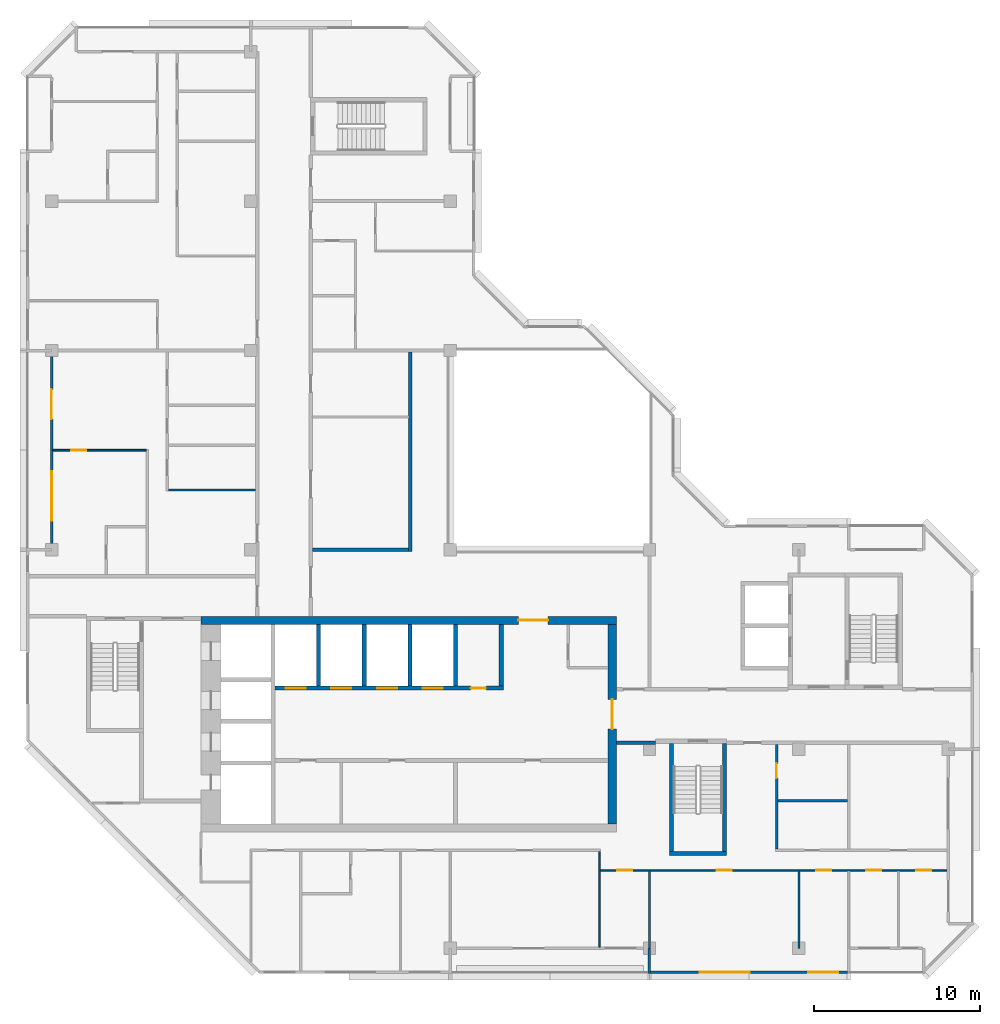
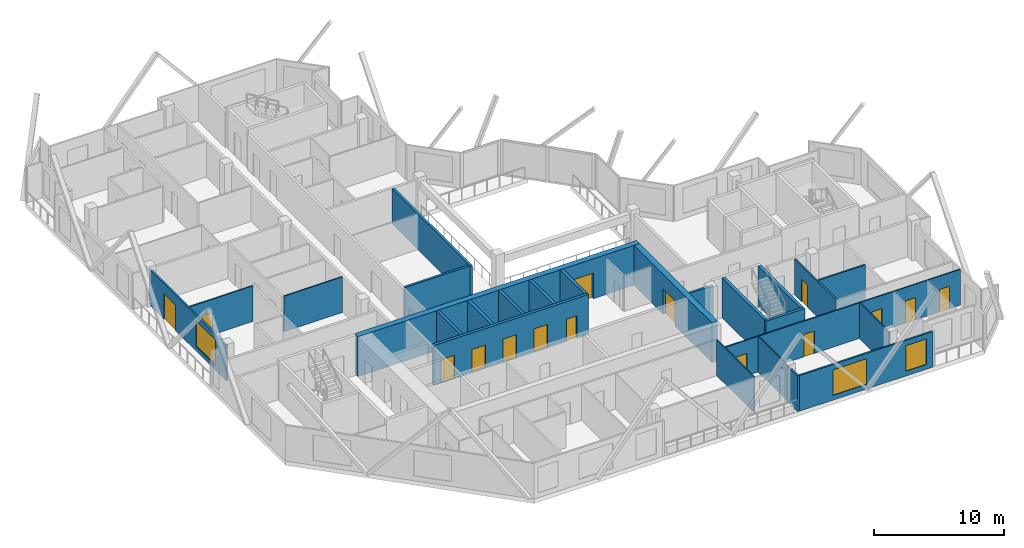
# One storey, part 5 of 12: 25 walls, 15 doors, 3 windows, 18 openings.
"""IFC4 building model written with IfcOpenShell, lengths in metres."""

from ifc_helpers import new_model, si_unit, direction, frame, frame_2d, origin, place, context, subcontext, project, spatial, rectangle, extrude, material, layer, layer_set, type_object, element, fill, save


model = new_model("IFC4")

# Units and contexts
model_context = context("Model", 3, precision=1e-05, world=origin(), true_north=direction((0.0, 1.0)))
body_context = subcontext(model_context, "Body", "Model", "MODEL_VIEW")
ifc_project = project(units=[si_unit("LENGTHUNIT", "METRE"), si_unit("AREAUNIT", "SQUARE_METRE"), si_unit("VOLUMEUNIT", "CUBIC_METRE"), si_unit("PLANEANGLEUNIT", "RADIAN"), si_unit("MASSUNIT", "GRAM", prefix="KILO")], contexts=[model_context])

# Site, building, storey
site_placement = place(None, origin())
site = spatial("IfcSite", under=ifc_project, at=site_placement, CompositionType="ELEMENT")
building_placement = place(site_placement, origin())
building = spatial("IfcBuilding", under=site, at=building_placement, Name="Chenar Terraces", CompositionType="ELEMENT")
storey_placement = place(building_placement, frame((0.0, 0.0, 368.89990234375)))
storey = spatial("IfcBuildingStorey", under=building, at=storey_placement, Name="L86", CompositionType="ELEMENT", Elevation=368.89990234375)

# Wall, openings, doors
ifc_material_1 = material(Name="Concrete C50/60", Category="concrete")
ifc_layer_1 = layer(ifc_material_1, 0.25)
ifc_layer_set_1 = layer_set([ifc_layer_1], Name="Concrete C50/60")
wall_type_1 = type_object("IfcWallType", Name="Core wall 250 Concrete C50/60", PredefinedType="SHEAR", material=ifc_layer_set_1)
wall_1_placement = place(storey_placement, frame((13.449951171875, 15.675048828125, 0.0), z_axis=(0.0, 0.0, 1.0), x_axis=(1.0, 0.0, 0.0)))
wall_1 = element("IfcWall", 1, at=wall_1_placement, inside=storey, type_object=wall_type_1, Name="Core wall NF L86", PredefinedType="SHEAR", context=body_context, shape_type="SweptSolid", body=[
    extrude(rectangle(XDim=13.75, YDim=0.25, at=frame_2d((6.875, 0.0))), origin(), (0.0, 0.0, 1.0), 3.75),
])
opening_1_placement = place(wall_1_placement, frame((0.64990234375, 0.0, 0.0)))
opening_1 = element("IfcOpeningElement", 2, at=opening_1_placement, cuts=wall_1, Name="Opening DL86-LD1", PredefinedType="OPENING", context=body_context, shape_type="SweptSolid", body=[
    extrude(rectangle(XDim=1.199951171875, YDim=2.199951171875, at=frame_2d((0.60009765625, 1.10009765625))), frame((0.0, 0.135009765625, 0.0), z_axis=(0.0, -1.0, 0.0), x_axis=(1.0, 0.0, 0.0)), (0.0, 0.0, 1.0), 0.27001953125),
])
opening_2_placement = place(wall_1_placement, frame((3.39990234375, 0.0, 0.0)))
opening_2 = element("IfcOpeningElement", 3, at=opening_2_placement, cuts=wall_1, Name="Opening DL86-LD2", PredefinedType="OPENING", context=body_context, shape_type="SweptSolid", body=[
    extrude(rectangle(XDim=1.199951171875, YDim=2.199951171875, at=frame_2d((0.60009765625, 1.10009765625))), frame((0.0, 0.135009765625, 0.0), z_axis=(0.0, -1.0, 0.0), x_axis=(1.0, 0.0, 0.0)), (0.0, 0.0, 1.0), 0.27001953125),
])
opening_3_placement = place(wall_1_placement, frame((6.14990234375, 0.0, 0.0)))
opening_3 = element("IfcOpeningElement", 4, at=opening_3_placement, cuts=wall_1, Name="Opening DL86-LD3", PredefinedType="OPENING", context=body_context, shape_type="SweptSolid", body=[
    extrude(rectangle(XDim=1.199951171875, YDim=2.199951171875, at=frame_2d((0.60009765625, 1.10009765625))), frame((0.0, 0.135009765625, 0.0), z_axis=(0.0, -1.0, 0.0), x_axis=(1.0, 0.0, 0.0)), (0.0, 0.0, 1.0), 0.27001953125),
])
opening_4_placement = place(wall_1_placement, frame((8.89990234375, 0.0, 0.0)))
opening_4 = element("IfcOpeningElement", 5, at=opening_4_placement, cuts=wall_1, Name="Opening DL86-LD4", PredefinedType="OPENING", context=body_context, shape_type="SweptSolid", body=[
    extrude(rectangle(XDim=1.199951171875, YDim=2.199951171875, at=frame_2d((0.60009765625, 1.10009765625))), frame((0.0, 0.135009765625, 0.0), z_axis=(0.0, -1.0, 0.0), x_axis=(1.0, 0.0, 0.0)), (0.0, 0.0, 1.0), 0.27001953125),
])
opening_5_placement = place(wall_1_placement, frame((11.800048828125, 0.0, 0.0)))
opening_5 = element("IfcOpeningElement", 6, at=opening_5_placement, cuts=wall_1, Name="Opening DL86-C15", PredefinedType="OPENING", context=body_context, shape_type="SweptSolid", body=[
    extrude(rectangle(XDim=0.89990234375, YDim=2.10009765625, at=frame_2d((0.449951171875, 1.050048828125))), frame((0.0, 0.135009765625, 0.0), z_axis=(0.0, -1.0, 0.0), x_axis=(1.0, 0.0, 0.0)), (0.0, 0.0, 1.0), 0.27001953125),
])
ifc_material_2 = material(Name="Stainless steel", Category="steel")
door_type_1 = type_object("IfcDoorType", Name="Lift landing door 1200 x 2200 sliding", OperationType="DOUBLE_DOOR_SLIDING", PredefinedType="DOOR", material=ifc_material_2)
door_1_placement = place(opening_1_placement, origin())
door_1 = element("IfcDoor", 7, at=door_1_placement, inside=storey, type_object=door_type_1, Name="Landing door H1", OperationType="DOUBLE_DOOR_SLIDING", OverallHeight=2.199951171875, OverallWidth=1.199951171875, PredefinedType="DOOR", context=body_context, shape_type="SweptSolid", body=[
    extrude(rectangle(XDim=1.199951171875, YDim=2.199951171875, at=frame_2d((0.60009765625, 1.10009765625))), frame((0.0, 0.02490234375, 0.0), z_axis=(0.0, -1.0, 0.0), x_axis=(1.0, 0.0, 0.0)), (0.0, 0.0, 1.0), 0.050048828125),
])
fill(opening_1, door_1)
door_2_placement = place(opening_2_placement, origin())
door_2 = element("IfcDoor", 8, at=door_2_placement, inside=storey, type_object=door_type_1, Name="Landing door H2", OperationType="DOUBLE_DOOR_SLIDING", OverallHeight=2.199951171875, OverallWidth=1.199951171875, PredefinedType="DOOR", context=body_context, shape_type="SweptSolid", body=[
    extrude(rectangle(XDim=1.199951171875, YDim=2.199951171875, at=frame_2d((0.60009765625, 1.10009765625))), frame((0.0, 0.02490234375, 0.0), z_axis=(0.0, -1.0, 0.0), x_axis=(1.0, 0.0, 0.0)), (0.0, 0.0, 1.0), 0.050048828125),
])
fill(opening_2, door_2)
door_3_placement = place(opening_3_placement, origin())
door_3 = element("IfcDoor", 9, at=door_3_placement, inside=storey, type_object=door_type_1, Name="Landing door H3", OperationType="DOUBLE_DOOR_SLIDING", OverallHeight=2.199951171875, OverallWidth=1.199951171875, PredefinedType="DOOR", context=body_context, shape_type="SweptSolid", body=[
    extrude(rectangle(XDim=1.199951171875, YDim=2.199951171875, at=frame_2d((0.60009765625, 1.10009765625))), frame((0.0, 0.02490234375, 0.0), z_axis=(0.0, -1.0, 0.0), x_axis=(1.0, 0.0, 0.0)), (0.0, 0.0, 1.0), 0.050048828125),
])
fill(opening_3, door_3)
door_4_placement = place(opening_4_placement, origin())
door_4 = element("IfcDoor", 10, at=door_4_placement, inside=storey, type_object=door_type_1, Name="Landing door H4", OperationType="DOUBLE_DOOR_SLIDING", OverallHeight=2.199951171875, OverallWidth=1.199951171875, PredefinedType="DOOR", context=body_context, shape_type="SweptSolid", body=[
    extrude(rectangle(XDim=1.199951171875, YDim=2.199951171875, at=frame_2d((0.60009765625, 1.10009765625))), frame((0.0, 0.02490234375, 0.0), z_axis=(0.0, -1.0, 0.0), x_axis=(1.0, 0.0, 0.0)), (0.0, 0.0, 1.0), 0.050048828125),
])
fill(opening_4, door_4)
ifc_material_3 = material(Name="Steel-framed fire-resisting door leaf", Category="steel")
door_type_2 = type_object("IfcDoorType", Name="Riser fire door FD60 900 x 2100", OperationType="SINGLE_SWING_LEFT", PredefinedType="DOOR", material=ifc_material_3)
door_5_placement = place(opening_5_placement, origin())
door_5 = element("IfcDoor", 11, at=door_5_placement, inside=storey, type_object=door_type_2, Name="Core room door DL86-C15", OperationType="SINGLE_SWING_RIGHT", OverallHeight=2.10009765625, OverallWidth=0.89990234375, PredefinedType="DOOR", context=body_context, shape_type="SweptSolid", body=[
    extrude(rectangle(XDim=0.89990234375, YDim=2.10009765625, at=frame_2d((0.449951171875, 1.050048828125))), frame((0.0, 0.02490234375, 0.0), z_axis=(0.0, -1.0, 0.0), x_axis=(1.0, 0.0, 0.0)), (0.0, 0.0, 1.0), 0.050048828125),
])
fill(opening_5, door_5)

# Walls
for number, where, z_axis, x_axis, name in (
    (12, (16.074951171875, 15.800048828125, 0.0), (0.0, 0.0, 1.0), (0.0, 1.0, 0.0), "Core wall NS0 L86"),
    (13, (18.824951171875, 15.800048828125, 0.0), (0.0, 0.0, 1.0), (0.0, 1.0, 0.0), "Core wall NS1 L86"),
    (14, (21.574951171875, 15.800048828125, 0.0), (0.0, 0.0, 1.0), (0.0, 1.0, 0.0), "Core wall NS2 L86"),
    (15, (24.324951171875, 15.800048828125, 0.0), (0.0, 0.0, 1.0), (0.0, 1.0, 0.0), "Core wall NS3 L86"),
    (16, (27.074951171875, 15.800048828125, 0.0), (0.0, 0.0, 1.0), (0.0, 1.0, 0.0), "Core wall NE L86"),
):
    element("IfcWall", number, at=place(storey_placement, frame(where, z_axis=z_axis, x_axis=x_axis)), inside=storey, type_object=wall_type_1, Name=name, PredefinedType="SHEAR", context=body_context, shape_type="SweptSolid", body=[
        extrude(rectangle(XDim=3.699951171875, YDim=0.25, at=frame_2d((1.85009765625, 0.0))), origin(), (0.0, 0.0, 1.0), 3.75),
    ])
wall_2_placement = place(storey_placement, frame((37.199951171875, 5.72509765625, 0.0), z_axis=(0.0, 0.0, 1.0), x_axis=(1.0, 0.0, 0.0)))
element("IfcWall", 17, at=wall_2_placement, inside=storey, type_object=wall_type_1, Name="Core wall ST2_S L86", PredefinedType="SHEAR", context=body_context, shape_type="SweptSolid", body=[
    extrude(rectangle(XDim=3.449951171875, YDim=0.25, at=frame_2d((1.72509765625, 0.0))), origin(), (0.0, 0.0, 1.0), 3.75),
])
for number, where, z_axis, x_axis, name in (
    (18, (37.324951171875, 5.85009765625, 0.0), (0.0, 0.0, 1.0), (0.0, 1.0, 0.0), "Core wall ST2_W L86"),
    (19, (40.52490234375, 5.85009765625, 0.0), (0.0, 0.0, 1.0), (0.0, 1.0, 0.0), "Core wall ST2_E L86"),
):
    element("IfcWall", number, at=place(storey_placement, frame(where, z_axis=z_axis, x_axis=x_axis)), inside=storey, type_object=wall_type_1, Name=name, PredefinedType="SHEAR", context=body_context, shape_type="SweptSolid", body=[
        extrude(rectangle(XDim=6.5, YDim=0.25, at=frame_2d((3.25, 0.0))), origin(), (0.0, 0.0, 1.0), 3.75),
    ])

# Wall, opening, door
ifc_material_4 = material(Name="Concrete C50/60", Category="concrete")
ifc_layer_2 = layer(ifc_material_4, 0.5)
ifc_layer_set_2 = layer_set([ifc_layer_2], Name="Concrete C50/60")
wall_type_2 = type_object("IfcWallType", Name="Core wall 500 Concrete C50/60", PredefinedType="SHEAR", material=ifc_layer_set_2)
wall_3_placement = place(storey_placement, frame((9.0, 19.75, 0.0), z_axis=(0.0, 0.0, 1.0), x_axis=(1.0, 0.0, 0.0)))
wall_3 = element("IfcWall", 20, at=wall_3_placement, inside=storey, type_object=wall_type_2, Name="Core wall N L86", PredefinedType="SHEAR", context=body_context, shape_type="SweptSolid", body=[
    extrude(rectangle(XDim=25.0, YDim=0.5, at=frame_2d((12.5, 0.0))), origin(), (0.0, 0.0, 1.0), 3.75),
])
opening_6_placement = place(wall_3_placement, frame((19.10009765625, 0.0, 0.0)))
opening_6 = element("IfcOpeningElement", 21, at=opening_6_placement, cuts=wall_3, Name="Opening DL86-C2", PredefinedType="OPENING", context=body_context, shape_type="SweptSolid", body=[
    extrude(rectangle(XDim=1.800048828125, YDim=2.39990234375, at=frame_2d((0.89990234375, 1.199951171875))), frame((0.0, 0.260009765625, 0.0), z_axis=(0.0, -1.0, 0.0), x_axis=(1.0, 0.0, 0.0)), (0.0, 0.0, 1.0), 0.52001953125),
])
ifc_material_5 = material(Name="Steel-framed fire-resisting door leaf", Category="steel")
door_type_3 = type_object("IfcDoorType", Name="Core entrance double fire door FD60 1800 x 2400", OperationType="DOUBLE_DOOR_SINGLE_SWING", PredefinedType="DOOR", material=ifc_material_5)
door_6_placement = place(opening_6_placement, frame((1.800048828125, 0.0, 0.0), z_axis=(0.0, 0.0, 1.0), x_axis=(-1.0, 0.0, 0.0)))
door_6 = element("IfcDoor", 22, at=door_6_placement, inside=storey, type_object=door_type_3, Name="Core door DL86-C2", OperationType="DOUBLE_DOOR_SINGLE_SWING", OverallHeight=2.39990234375, OverallWidth=1.800048828125, PredefinedType="DOOR", context=body_context, shape_type="SweptSolid", body=[
    extrude(rectangle(XDim=1.800048828125, YDim=2.39990234375, at=frame_2d((0.89990234375, 1.199951171875))), frame((0.0, 0.02490234375, 0.0), z_axis=(0.0, -1.0, 0.0), x_axis=(1.0, 0.0, 0.0)), (0.0, 0.0, 1.0), 0.050048828125),
])
fill(opening_6, door_6)

wall_4_placement = place(storey_placement, frame((33.75, 7.5, 0.0), z_axis=(0.0, 0.0, 1.0), x_axis=(0.0, 1.0, 0.0)))
wall_4 = element("IfcWall", 23, at=wall_4_placement, inside=storey, type_object=wall_type_2, Name="Core wall E L86", PredefinedType="SHEAR", context=body_context, shape_type="SweptSolid", body=[
    extrude(rectangle(XDim=12.0, YDim=0.5, at=frame_2d((6.0, 0.0))), origin(), (0.0, 0.0, 1.0), 3.75),
])
opening_7_placement = place(wall_4_placement, frame((5.699951171875, 0.0, 0.0)))
opening_7 = element("IfcOpeningElement", 24, at=opening_7_placement, cuts=wall_4, Name="Opening DL86-C1", PredefinedType="OPENING", context=body_context, shape_type="SweptSolid", body=[
    extrude(rectangle(XDim=1.800048828125, YDim=2.39990234375, at=frame_2d((0.89990234375, 1.199951171875))), frame((0.0, 0.260009765625, 0.0), z_axis=(0.0, -1.0, 0.0), x_axis=(1.0, 0.0, 0.0)), (0.0, 0.0, 1.0), 0.52001953125),
])
door_7_placement = place(opening_7_placement, origin())
door_7 = element("IfcDoor", 25, at=door_7_placement, inside=storey, type_object=door_type_3, Name="Core door DL86-C1", OperationType="DOUBLE_DOOR_SINGLE_SWING", OverallHeight=2.39990234375, OverallWidth=1.800048828125, PredefinedType="DOOR", context=body_context, shape_type="SweptSolid", body=[
    extrude(rectangle(XDim=1.800048828125, YDim=2.39990234375, at=frame_2d((0.89990234375, 1.199951171875))), frame((0.0, 0.02490234375, 0.0), z_axis=(0.0, -1.0, 0.0), x_axis=(1.0, 0.0, 0.0)), (0.0, 0.0, 1.0), 0.050048828125),
])
fill(opening_7, door_7)

# Walls
ifc_material_6 = material(Name="Gypsum board on steel studs with fire boards", Category="steel")
ifc_layer_3 = layer(ifc_material_6, 0.199951171875)
ifc_layer_set_3 = layer_set([ifc_layer_3], Name="Gypsum board on steel studs with fire boards")
wall_type_3 = type_object("IfcWallType", Name="Corridor wall 200", PredefinedType="PARTITIONING", material=ifc_layer_set_3)
wall_5_placement = place(storey_placement, frame((15.699951171875, 24.0, 0.0), z_axis=(0.0, 0.0, 1.0), x_axis=(1.0, 0.0, 0.0)))
element("IfcWall", 26, at=wall_5_placement, inside=storey, type_object=wall_type_3, Name="Partition L86-033", PredefinedType="PARTITIONING", context=body_context, shape_type="SweptSolid", body=[
    extrude(rectangle(XDim=5.800048828125, YDim=0.199951171875, at=frame_2d((2.89990234375, 0.0))), origin(), (0.0, 0.0, 1.0), 3.35009765625),
])
wall_6_placement = place(storey_placement, frame((21.60009765625, 23.89990234375, 0.0), z_axis=(0.0, 0.0, 1.0), x_axis=(0.0, 1.0, 0.0)))
element("IfcWall", 27, at=wall_6_placement, inside=storey, type_object=wall_type_3, Name="Partition L86-044", PredefinedType="PARTITIONING", context=body_context, shape_type="SweptSolid", body=[
    extrude(rectangle(XDim=12.0, YDim=0.199951171875, at=frame_2d((6.0, 0.0))), origin(), (0.0, 0.0, 1.0), 3.35009765625),
])
wall_7_placement = place(storey_placement, frame((34.0, 12.375, 0.0), z_axis=(0.0, 0.0, 1.0), x_axis=(1.0, 0.0, 0.0)))
element("IfcWall", 28, at=wall_7_placement, inside=storey, type_object=wall_type_3, Name="Partition L86-048", PredefinedType="PARTITIONING", context=body_context, shape_type="SweptSolid", body=[
    extrude(rectangle(XDim=2.3759765625, YDim=0.199951171875, at=frame_2d((1.18798828125, 0.0))), origin(), (0.0, 0.0, 1.0), 3.35009765625),
])

# Wall, openings, windows
ifc_material_7 = material(Name="Aluminium framed glazing", Category="aluminium")
ifc_layer_4 = layer(ifc_material_7, 0.14990234375)
ifc_layer_set_4 = layer_set([ifc_layer_4], Name="Aluminium framed glazing")
wall_type_4 = type_object("IfcWallType", Name="Glazed flush facade wall 150", PredefinedType="SOLIDWALL", material=ifc_layer_set_4)
wall_8_placement = place(storey_placement, frame((36.074951171875, -1.425048828125, 0.0), z_axis=(0.0, 0.0, 1.0), x_axis=(1.0, 0.0, 0.0)))
wall_8 = element("IfcWall", 29, at=wall_8_placement, inside=storey, type_object=wall_type_4, Name="Glazed flush facade wall", PredefinedType="SOLIDWALL", context=body_context, shape_type="SweptSolid", body=[
    extrude(rectangle(XDim=11.85009765625, YDim=0.14990234375, at=frame_2d((5.925048828125, 0.0))), origin(), (0.0, 0.0, 1.0), 3.35009765625),
])
opening_8_placement = place(wall_8_placement, frame((2.96240234375, 0.0, 0.449951171875)))
opening_8 = element("IfcOpeningElement", 30, at=opening_8_placement, cuts=wall_8, Name="Opening W300x240", PredefinedType="OPENING", context=body_context, shape_type="SweptSolid", body=[
    extrude(rectangle(XDim=3.0, YDim=2.39990234375, at=frame_2d((1.5, 1.199951171875))), frame((0.0, 0.0849609375, 0.0), z_axis=(0.0, -1.0, 0.0), x_axis=(1.0, 0.0, 0.0)), (0.0, 0.0, 1.0), 0.169921875),
])
opening_9_placement = place(wall_8_placement, frame((9.487548828125, 0.0, 0.449951171875)))
opening_9 = element("IfcOpeningElement", 31, at=opening_9_placement, cuts=wall_8, Name="Opening W180x240", PredefinedType="OPENING", context=body_context, shape_type="SweptSolid", body=[
    extrude(rectangle(XDim=1.800048828125, YDim=2.39990234375, at=frame_2d((0.89990234375, 1.199951171875))), frame((0.0, 0.0849609375, 0.0), z_axis=(0.0, -1.0, 0.0), x_axis=(1.0, 0.0, 0.0)), (0.0, 0.0, 1.0), 0.169921875),
])
ifc_material_8 = material(Name="Low emissivity double glazing, aluminium frame", Category="aluminium")
window_type_1 = type_object("IfcWindowType", Name="Fixed light 1800 x 2400", PartitioningType="SINGLE_PANEL", PredefinedType="WINDOW", material=ifc_material_8)
window_1_placement = place(opening_9_placement, origin())
window_1 = element("IfcWindow", 32, at=window_1_placement, inside=storey, type_object=window_type_1, Name="Window", OverallHeight=2.39990234375, OverallWidth=1.800048828125, PartitioningType="SINGLE_PANEL", PredefinedType="WINDOW", context=body_context, shape_type="SweptSolid", body=[
    extrude(rectangle(XDim=1.800048828125, YDim=2.39990234375, at=frame_2d((0.89990234375, 1.199951171875))), frame((0.0, 0.030029296875, 0.0), z_axis=(0.0, -1.0, 0.0), x_axis=(1.0, 0.0, 0.0)), (0.0, 0.0, 1.0), 0.06005859375),
])
fill(opening_9, window_1)
ifc_material_9 = material(Name="Low emissivity double glazing, aluminium frame", Category="aluminium")
window_type_2 = type_object("IfcWindowType", Name="Fixed light 3000 x 2400", PartitioningType="SINGLE_PANEL", PredefinedType="WINDOW", material=ifc_material_9)
window_2_placement = place(opening_8_placement, origin())
window_2 = element("IfcWindow", 33, at=window_2_placement, inside=storey, type_object=window_type_2, Name="Window", OverallHeight=2.39990234375, OverallWidth=3.0, PartitioningType="SINGLE_PANEL", PredefinedType="WINDOW", context=body_context, shape_type="SweptSolid", body=[
    extrude(rectangle(XDim=3.0, YDim=2.39990234375, at=frame_2d((1.5, 1.199951171875))), frame((0.0, 0.030029296875, 0.0), z_axis=(0.0, -1.0, 0.0), x_axis=(1.0, 0.0, 0.0)), (0.0, 0.0, 1.0), 0.06005859375),
])
fill(opening_8, window_2)

# Wall, openings, window, door
ifc_material_10 = material(Name="Aluminium framed glazing", Category="aluminium")
ifc_layer_5 = layer(ifc_material_10, 0.14990234375)
ifc_layer_set_5 = layer_set([ifc_layer_5], Name="Aluminium framed glazing")
wall_type_5 = type_object("IfcWallType", Name="Glazed loggia back wall 150", PredefinedType="SOLIDWALL", material=ifc_layer_set_5)
wall_9_placement = place(storey_placement, frame((0.0, 35.925048828125, 0.0), z_axis=(0.0, 0.0, 1.0), x_axis=(0.0, -1.0, 0.0)))
wall_9 = element("IfcWall", 34, at=wall_9_placement, inside=storey, type_object=wall_type_5, Name="Glazed loggia back wall", PredefinedType="SOLIDWALL", context=body_context, shape_type="SweptSolid", body=[
    extrude(rectangle(XDim=11.85009765625, YDim=0.14990234375, at=frame_2d((5.925048828125, 0.0))), origin(), (0.0, 0.0, 1.0), 3.35009765625),
])
opening_10_placement = place(wall_9_placement, frame((2.262451171875, 0.0, 0.0)))
opening_10 = element("IfcOpeningElement", 35, at=opening_10_placement, cuts=wall_9, Name="Opening DL86-G2", PredefinedType="OPENING", context=body_context, shape_type="SweptSolid", body=[
    extrude(rectangle(XDim=1.800048828125, YDim=2.39990234375, at=frame_2d((0.89990234375, 1.199951171875))), frame((0.0, 0.0849609375, 0.0), z_axis=(0.0, -1.0, 0.0), x_axis=(1.0, 0.0, 0.0)), (0.0, 0.0, 1.0), 0.169921875),
])
opening_11_placement = place(wall_9_placement, frame((7.1875, 0.0, 0.449951171875)))
opening_11 = element("IfcOpeningElement", 36, at=opening_11_placement, cuts=wall_9, Name="Opening W300x240", PredefinedType="OPENING", context=body_context, shape_type="SweptSolid", body=[
    extrude(rectangle(XDim=3.0, YDim=2.39990234375, at=frame_2d((1.5, 1.199951171875))), frame((0.0, 0.0849609375, 0.0), z_axis=(0.0, -1.0, 0.0), x_axis=(1.0, 0.0, 0.0)), (0.0, 0.0, 1.0), 0.169921875),
])
window_3_placement = place(opening_11_placement, origin())
window_3 = element("IfcWindow", 37, at=window_3_placement, inside=storey, type_object=window_type_2, Name="Window", OverallHeight=2.39990234375, OverallWidth=3.0, PartitioningType="SINGLE_PANEL", PredefinedType="WINDOW", context=body_context, shape_type="SweptSolid", body=[
    extrude(rectangle(XDim=3.0, YDim=2.39990234375, at=frame_2d((1.5, 1.199951171875))), frame((0.0, 0.030029296875, 0.0), z_axis=(0.0, -1.0, 0.0), x_axis=(1.0, 0.0, 0.0)), (0.0, 0.0, 1.0), 0.06005859375),
])
fill(opening_11, window_3)
ifc_material_11 = material(Name="Low emissivity double glazing, aluminium frame", Category="aluminium")
door_type_4 = type_object("IfcDoorType", Name="Loggia glazed double door 1800 x 2400", OperationType="DOUBLE_DOOR_SINGLE_SWING", PredefinedType="DOOR", material=ifc_material_11)
door_8_placement = place(opening_10_placement, frame((1.800048828125, 0.0, 0.0), z_axis=(0.0, 0.0, 1.0), x_axis=(-1.0, 0.0, 0.0)))
door_8 = element("IfcDoor", 38, at=door_8_placement, inside=storey, type_object=door_type_4, Name="Loggia glazed door", OperationType="DOUBLE_DOOR_SINGLE_SWING", OverallHeight=2.39990234375, OverallWidth=1.800048828125, PredefinedType="DOOR", context=body_context, shape_type="SweptSolid", body=[
    extrude(rectangle(XDim=1.800048828125, YDim=2.39990234375, at=frame_2d((0.89990234375, 1.199951171875))), frame((0.0, 0.02490234375, 0.0), z_axis=(0.0, -1.0, 0.0), x_axis=(1.0, 0.0, 0.0)), (0.0, 0.0, 1.0), 0.050048828125),
])
fill(opening_10, door_8)

# Wall, opening, door
ifc_material_12 = material(Name="Gypsum board on steel studs", Category="steel")
ifc_layer_6 = layer(ifc_material_12, 0.10009765625)
ifc_layer_set_6 = layer_set([ifc_layer_6], Name="Gypsum board on steel studs")
wall_type_6 = type_object("IfcWallType", Name="Gypsum partition 100", PredefinedType="PARTITIONING", material=ifc_layer_set_6)
wall_10_placement = place(storey_placement, frame((0.073974609375, 30.0, 0.0), z_axis=(0.0, 0.0, 1.0), x_axis=(1.0, 0.0, 0.0)))
wall_10 = element("IfcWall", 39, at=wall_10_placement, inside=storey, type_object=wall_type_6, Name="Partition L86-006", PredefinedType="PARTITIONING", context=body_context, shape_type="SweptSolid", body=[
    extrude(rectangle(XDim=5.6259765625, YDim=0.10009765625, at=frame_2d((2.81298828125, 0.0))), origin(), (0.0, 0.0, 1.0), 3.35009765625),
])
opening_12_placement = place(wall_10_placement, frame((1.1259765625, 0.0, 0.0)))
opening_12 = element("IfcOpeningElement", 40, at=opening_12_placement, cuts=wall_10, Name="Opening DL86-38", PredefinedType="OPENING", context=body_context, shape_type="SweptSolid", body=[
    extrude(rectangle(XDim=0.89990234375, YDim=2.10009765625, at=frame_2d((0.449951171875, 1.050048828125))), frame((0.0, 0.06005859375, 0.0), z_axis=(0.0, -1.0, 0.0), x_axis=(1.0, 0.0, 0.0)), (0.0, 0.0, 1.0), 0.1201171875),
])
ifc_material_13 = material(Name="Veneered timber door leaf", Category="wood")
door_type_5 = type_object("IfcDoorType", Name="Door 900 x 2100", OperationType="SINGLE_SWING_LEFT", PredefinedType="DOOR", material=ifc_material_13)
door_9_placement = place(opening_12_placement, frame((0.89990234375, 0.0, 0.0), z_axis=(0.0, 0.0, 1.0), x_axis=(-1.0, 0.0, 0.0)))
door_9 = element("IfcDoor", 41, at=door_9_placement, inside=storey, type_object=door_type_5, Name="Door DL86-38", OperationType="SINGLE_SWING_RIGHT", OverallHeight=2.10009765625, OverallWidth=0.89990234375, PredefinedType="DOOR", context=body_context, shape_type="SweptSolid", body=[
    extrude(rectangle(XDim=0.89990234375, YDim=2.10009765625, at=frame_2d((0.449951171875, 1.050048828125))), frame((0.0, 0.02490234375, 0.0), z_axis=(0.0, -1.0, 0.0), x_axis=(1.0, 0.0, 0.0)), (0.0, 0.0, 1.0), 0.050048828125),
])
fill(opening_12, door_9)

# Walls
wall_11_placement = place(storey_placement, frame((7.050048828125, 27.60009765625, 0.0), z_axis=(0.0, 0.0, 1.0), x_axis=(1.0, 0.0, 0.0)))
element("IfcWall", 42, at=wall_11_placement, inside=storey, type_object=wall_type_6, Name="Partition L86-017", PredefinedType="PARTITIONING", context=body_context, shape_type="SweptSolid", body=[
    extrude(rectangle(XDim=5.224853515625, YDim=0.10009765625, at=frame_2d((2.6123046875, 0.0))), origin(), (0.0, 0.0, 1.0), 3.35009765625),
])
wall_12_placement = place(storey_placement, frame((33.0, 0.073974609375, 0.0), z_axis=(0.0, 0.0, 1.0), x_axis=(0.0, 1.0, 0.0)))
element("IfcWall", 43, at=wall_12_placement, inside=storey, type_object=wall_type_6, Name="Partition L86-046", PredefinedType="PARTITIONING", context=body_context, shape_type="SweptSolid", body=[
    extrude(rectangle(XDim=5.7509765625, YDim=0.10009765625, at=frame_2d((2.87548828125, 0.0))), origin(), (0.0, 0.0, 1.0), 3.35009765625),
])

# Wall, openings, doors
wall_13_placement = place(storey_placement, frame((33.050048828125, 4.699951171875, 0.0), z_axis=(0.0, 0.0, 1.0), x_axis=(1.0, 0.0, 0.0)))
wall_13 = element("IfcWall", 44, at=wall_13_placement, inside=storey, type_object=wall_type_6, Name="Partition L86-047", PredefinedType="PARTITIONING", context=body_context, shape_type="SweptSolid", body=[
    extrude(rectangle(XDim=20.8759765625, YDim=0.10009765625, at=frame_2d((10.43798828125, 0.0))), origin(), (0.0, 0.0, 1.0), 3.35009765625),
])
opening_13_placement = place(wall_13_placement, frame((1.0, 0.0, 0.0)))
opening_13 = element("IfcOpeningElement", 45, at=opening_13_placement, cuts=wall_13, Name="Opening DL86-24", PredefinedType="OPENING", context=body_context, shape_type="SweptSolid", body=[
    extrude(rectangle(XDim=0.89990234375, YDim=2.10009765625, at=frame_2d((0.449951171875, 1.050048828125))), frame((0.0, 0.06005859375, 0.0), z_axis=(0.0, -1.0, 0.0), x_axis=(1.0, 0.0, 0.0)), (0.0, 0.0, 1.0), 0.1201171875),
])
opening_14_placement = place(wall_13_placement, frame((13.0, 0.0, 0.0)))
opening_14 = element("IfcOpeningElement", 46, at=opening_14_placement, cuts=wall_13, Name="Opening DL86-25", PredefinedType="OPENING", context=body_context, shape_type="SweptSolid", body=[
    extrude(rectangle(XDim=0.89990234375, YDim=2.10009765625, at=frame_2d((0.449951171875, 1.050048828125))), frame((0.0, 0.06005859375, 0.0), z_axis=(0.0, -1.0, 0.0), x_axis=(1.0, 0.0, 0.0)), (0.0, 0.0, 1.0), 0.1201171875),
])
opening_15_placement = place(wall_13_placement, frame((16.0, 0.0, 0.0)))
opening_15 = element("IfcOpeningElement", 47, at=opening_15_placement, cuts=wall_13, Name="Opening DL86-26", PredefinedType="OPENING", context=body_context, shape_type="SweptSolid", body=[
    extrude(rectangle(XDim=0.89990234375, YDim=2.10009765625, at=frame_2d((0.449951171875, 1.050048828125))), frame((0.0, 0.06005859375, 0.0), z_axis=(0.0, -1.0, 0.0), x_axis=(1.0, 0.0, 0.0)), (0.0, 0.0, 1.0), 0.1201171875),
])
opening_16_placement = place(wall_13_placement, frame((19.0, 0.0, 0.0)))
opening_16 = element("IfcOpeningElement", 48, at=opening_16_placement, cuts=wall_13, Name="Opening DL86-27", PredefinedType="OPENING", context=body_context, shape_type="SweptSolid", body=[
    extrude(rectangle(XDim=0.89990234375, YDim=2.10009765625, at=frame_2d((0.449951171875, 1.050048828125))), frame((0.0, 0.06005859375, 0.0), z_axis=(0.0, -1.0, 0.0), x_axis=(1.0, 0.0, 0.0)), (0.0, 0.0, 1.0), 0.1201171875),
])
opening_17_placement = place(wall_13_placement, frame((7.0, 0.0, 0.0)))
opening_17 = element("IfcOpeningElement", 49, at=opening_17_placement, cuts=wall_13, Name="Opening DL86-36", PredefinedType="OPENING", context=body_context, shape_type="SweptSolid", body=[
    extrude(rectangle(XDim=0.89990234375, YDim=2.10009765625, at=frame_2d((0.449951171875, 1.050048828125))), frame((0.0, 0.06005859375, 0.0), z_axis=(0.0, -1.0, 0.0), x_axis=(1.0, 0.0, 0.0)), (0.0, 0.0, 1.0), 0.1201171875),
])
door_10_placement = place(opening_13_placement, frame((0.89990234375, 0.0, 0.0), z_axis=(0.0, 0.0, 1.0), x_axis=(-1.0, 0.0, 0.0)))
door_10 = element("IfcDoor", 50, at=door_10_placement, inside=storey, type_object=door_type_5, Name="Door DL86-24", OperationType="SINGLE_SWING_LEFT", OverallHeight=2.10009765625, OverallWidth=0.89990234375, PredefinedType="DOOR", context=body_context, shape_type="SweptSolid", body=[
    extrude(rectangle(XDim=0.89990234375, YDim=2.10009765625, at=frame_2d((0.449951171875, 1.050048828125))), frame((0.0, 0.02490234375, 0.0), z_axis=(0.0, -1.0, 0.0), x_axis=(1.0, 0.0, 0.0)), (0.0, 0.0, 1.0), 0.050048828125),
])
fill(opening_13, door_10)
door_11_placement = place(opening_14_placement, frame((0.89990234375, 0.0, 0.0), z_axis=(0.0, 0.0, 1.0), x_axis=(-1.0, 0.0, 0.0)))
door_11 = element("IfcDoor", 51, at=door_11_placement, inside=storey, type_object=door_type_5, Name="Door DL86-25", OperationType="SINGLE_SWING_LEFT", OverallHeight=2.10009765625, OverallWidth=0.89990234375, PredefinedType="DOOR", context=body_context, shape_type="SweptSolid", body=[
    extrude(rectangle(XDim=0.89990234375, YDim=2.10009765625, at=frame_2d((0.449951171875, 1.050048828125))), frame((0.0, 0.02490234375, 0.0), z_axis=(0.0, -1.0, 0.0), x_axis=(1.0, 0.0, 0.0)), (0.0, 0.0, 1.0), 0.050048828125),
])
fill(opening_14, door_11)
door_12_placement = place(opening_15_placement, frame((0.89990234375, 0.0, 0.0), z_axis=(0.0, 0.0, 1.0), x_axis=(-1.0, 0.0, 0.0)))
door_12 = element("IfcDoor", 52, at=door_12_placement, inside=storey, type_object=door_type_5, Name="Door DL86-26", OperationType="SINGLE_SWING_LEFT", OverallHeight=2.10009765625, OverallWidth=0.89990234375, PredefinedType="DOOR", context=body_context, shape_type="SweptSolid", body=[
    extrude(rectangle(XDim=0.89990234375, YDim=2.10009765625, at=frame_2d((0.449951171875, 1.050048828125))), frame((0.0, 0.02490234375, 0.0), z_axis=(0.0, -1.0, 0.0), x_axis=(1.0, 0.0, 0.0)), (0.0, 0.0, 1.0), 0.050048828125),
])
fill(opening_15, door_12)
door_13_placement = place(opening_16_placement, frame((0.89990234375, 0.0, 0.0), z_axis=(0.0, 0.0, 1.0), x_axis=(-1.0, 0.0, 0.0)))
door_13 = element("IfcDoor", 53, at=door_13_placement, inside=storey, type_object=door_type_5, Name="Door DL86-27", OperationType="SINGLE_SWING_LEFT", OverallHeight=2.10009765625, OverallWidth=0.89990234375, PredefinedType="DOOR", context=body_context, shape_type="SweptSolid", body=[
    extrude(rectangle(XDim=0.89990234375, YDim=2.10009765625, at=frame_2d((0.449951171875, 1.050048828125))), frame((0.0, 0.02490234375, 0.0), z_axis=(0.0, -1.0, 0.0), x_axis=(1.0, 0.0, 0.0)), (0.0, 0.0, 1.0), 0.050048828125),
])
fill(opening_16, door_13)
door_14_placement = place(opening_17_placement, frame((0.89990234375, 0.0, 0.0), z_axis=(0.0, 0.0, 1.0), x_axis=(-1.0, 0.0, 0.0)))
door_14 = element("IfcDoor", 54, at=door_14_placement, inside=storey, type_object=door_type_5, Name="Door DL86-36", OperationType="SINGLE_SWING_LEFT", OverallHeight=2.10009765625, OverallWidth=0.89990234375, PredefinedType="DOOR", context=body_context, shape_type="SweptSolid", body=[
    extrude(rectangle(XDim=0.89990234375, YDim=2.10009765625, at=frame_2d((0.449951171875, 1.050048828125))), frame((0.0, 0.02490234375, 0.0), z_axis=(0.0, -1.0, 0.0), x_axis=(1.0, 0.0, 0.0)), (0.0, 0.0, 1.0), 0.050048828125),
])
fill(opening_17, door_14)

# Walls
for number, where, z_axis, x_axis, name in (
    (55, (36.0, 0.0, 0.0), (0.0, 0.0, 1.0), (0.0, 1.0, 0.0), "Partition L86-050"),
    (56, (45.0, 0.0, 0.0), (0.0, 0.0, 1.0), (0.0, 1.0, 0.0), "Partition L86-056"),
):
    element("IfcWall", number, at=place(storey_placement, frame(where, z_axis=z_axis, x_axis=x_axis)), inside=storey, type_object=wall_type_6, Name=name, PredefinedType="PARTITIONING", context=body_context, shape_type="SweptSolid", body=[
        extrude(rectangle(XDim=4.64990234375, YDim=0.10009765625, at=frame_2d((2.324951171875, 0.0))), origin(), (0.0, 0.0, 1.0), 3.35009765625),
    ])
ifc_material_14 = material(Name="Terracotta cladding on insulated backing", Category="masonry")
ifc_layer_7 = layer(ifc_material_14, 0.14990234375)
ifc_layer_set_7 = layer_set([ifc_layer_7], Name="Terracotta cladding on insulated backing")
wall_type_7 = type_object("IfcWallType", Name="Loggia return wall 150", PredefinedType="SOLIDWALL", material=ifc_layer_set_7)
wall_14_placement = place(storey_placement, frame((36.0, -1.5, 0.0), z_axis=(0.0, 0.0, 1.0), x_axis=(0.0, 1.0, 0.0)))
element("IfcWall", 57, at=wall_14_placement, inside=storey, type_object=wall_type_7, Name="Loggia return wall", PredefinedType="SOLIDWALL", context=body_context, shape_type="SweptSolid", body=[
    extrude(rectangle(XDim=1.5, YDim=0.14990234375, at=frame_2d((0.75, 0.0))), origin(), (0.0, 0.0, 1.0), 3.35009765625),
])

# Wall, opening, door
ifc_material_15 = material(Name="Moisture-resistant gypsum board on steel studs", Category="steel")
ifc_layer_8 = layer(ifc_material_15, 0.14990234375)
ifc_layer_set_8 = layer_set([ifc_layer_8], Name="Moisture-resistant gypsum board on steel studs")
wall_type_8 = type_object("IfcWallType", Name="Wet-room partition 150", PredefinedType="PARTITIONING", material=ifc_layer_set_8)
wall_15_placement = place(storey_placement, frame((43.64990234375, 5.97509765625, 0.0), z_axis=(0.0, 0.0, 1.0), x_axis=(0.0, 1.0, 0.0)))
wall_15 = element("IfcWall", 58, at=wall_15_placement, inside=storey, type_object=wall_type_8, Name="Partition L86-054", PredefinedType="PARTITIONING", context=body_context, shape_type="SweptSolid", body=[
    extrude(rectangle(XDim=6.2998046875, YDim=0.14990234375, at=frame_2d((3.14990234375, 0.0))), origin(), (0.0, 0.0, 1.0), 3.35009765625),
])
opening_18_placement = place(wall_15_placement, frame((4.27490234375, 0.0, 0.0)))
opening_18 = element("IfcOpeningElement", 59, at=opening_18_placement, cuts=wall_15, Name="Opening DL86-34", PredefinedType="OPENING", context=body_context, shape_type="SweptSolid", body=[
    extrude(rectangle(XDim=0.89990234375, YDim=2.10009765625, at=frame_2d((0.449951171875, 1.050048828125))), frame((0.0, 0.0849609375, 0.0), z_axis=(0.0, -1.0, 0.0), x_axis=(1.0, 0.0, 0.0)), (0.0, 0.0, 1.0), 0.169921875),
])
door_15_placement = place(opening_18_placement, frame((0.89990234375, 0.0, 0.0), z_axis=(0.0, 0.0, 1.0), x_axis=(-1.0, 0.0, 0.0)))
door_15 = element("IfcDoor", 60, at=door_15_placement, inside=storey, type_object=door_type_5, Name="Door DL86-34", OperationType="SINGLE_SWING_LEFT", OverallHeight=2.10009765625, OverallWidth=0.89990234375, PredefinedType="DOOR", context=body_context, shape_type="SweptSolid", body=[
    extrude(rectangle(XDim=0.89990234375, YDim=2.10009765625, at=frame_2d((0.449951171875, 1.050048828125))), frame((0.0, 0.02490234375, 0.0), z_axis=(0.0, -1.0, 0.0), x_axis=(1.0, 0.0, 0.0)), (0.0, 0.0, 1.0), 0.050048828125),
])
fill(opening_18, door_15)

# Wall
wall_16_placement = place(storey_placement, frame((43.72509765625, 8.89990234375, 0.0), z_axis=(0.0, 0.0, 1.0), x_axis=(1.0, 0.0, 0.0)))
element("IfcWall", 61, at=wall_16_placement, inside=storey, type_object=wall_type_8, Name="Partition L86-055", PredefinedType="PARTITIONING", context=body_context, shape_type="SweptSolid", body=[
    extrude(rectangle(XDim=4.199951171875, YDim=0.14990234375, at=frame_2d((2.10009765625, 0.0))), origin(), (0.0, 0.0, 1.0), 3.35009765625),
])

save(model, "model.ifc")
